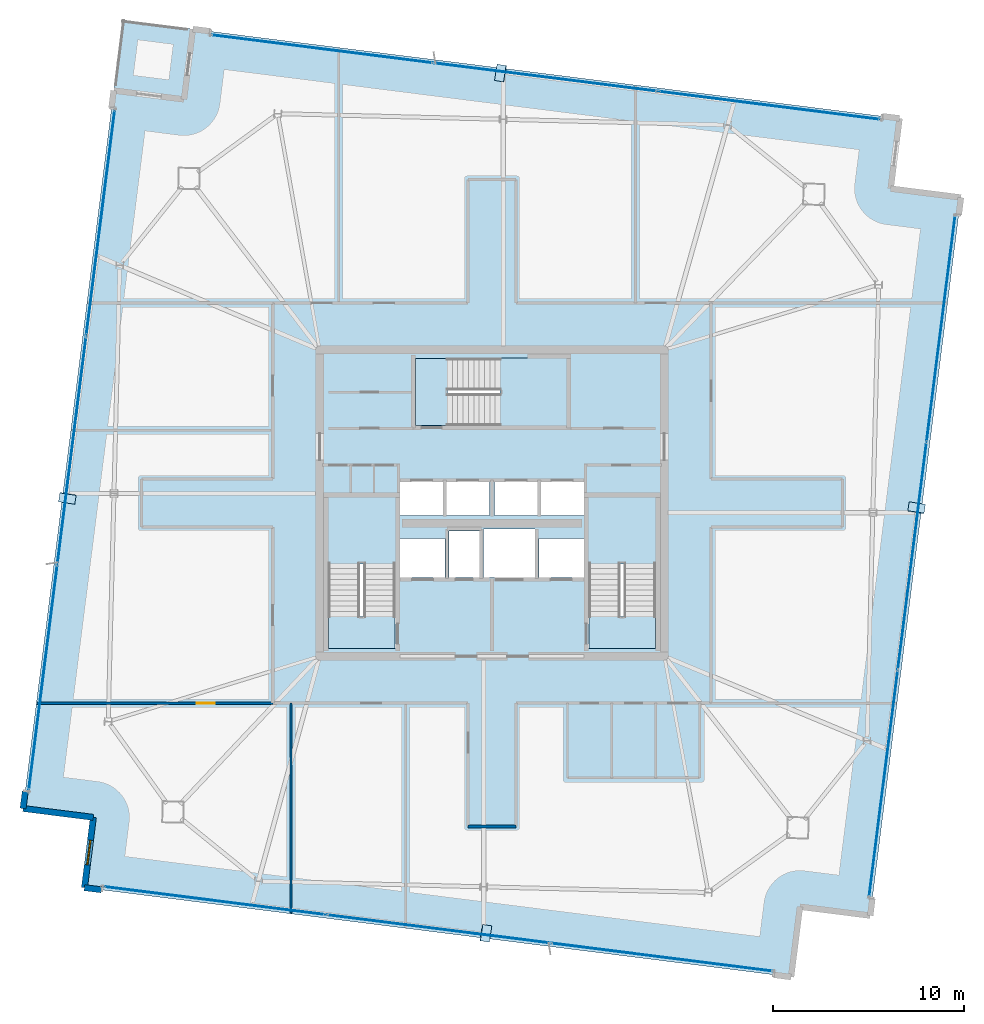
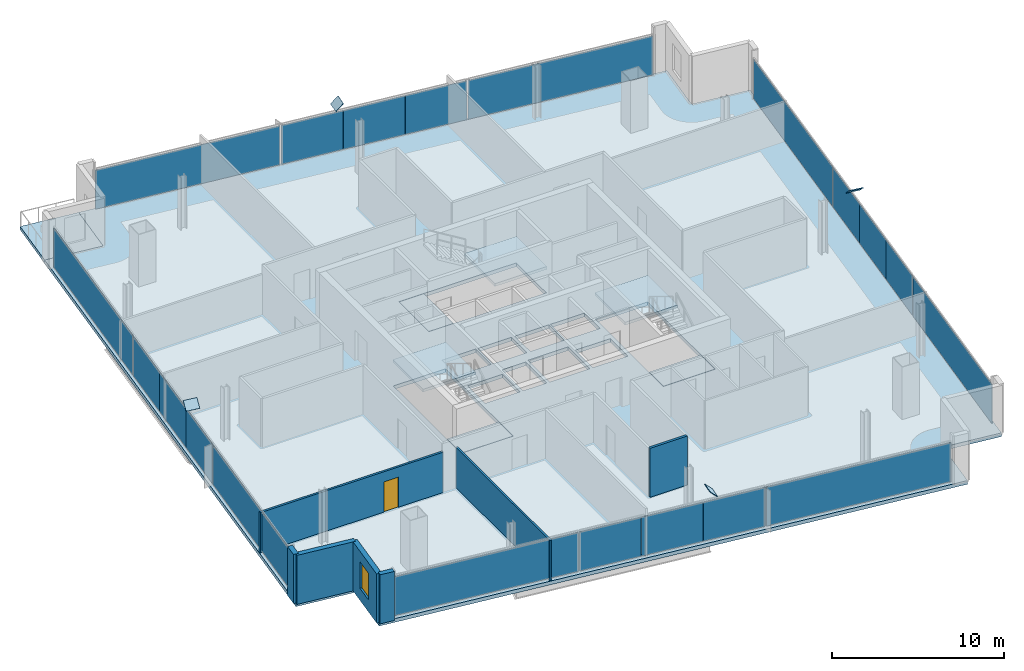
# One storey, part 17 of 23: 24 plates, 8 slabs, 7 walls, 1 door, 1 window, 2 openings, 7 elements without a shape of their own.
"""IFC4 building model written with IfcOpenShell, lengths in metres."""

from ifc_helpers import new_model, si_unit, direction, frame, frame_2d, origin, origin_2d, place, context, subcontext, project, spatial, polyline, rectangle, outline, extrude, source, transform, mapped, material, layer, layer_set, type_object, element, fill, aggregate, save


model = new_model("IFC4")

# Units and contexts
model_context = context("Model", 3, precision=1e-05, world=origin(), true_north=direction((0.0, 1.0)))
body_context = subcontext(model_context, "Body", "Model", "MODEL_VIEW")
ifc_project = project(units=[si_unit("LENGTHUNIT", "METRE"), si_unit("AREAUNIT", "SQUARE_METRE"), si_unit("VOLUMEUNIT", "CUBIC_METRE"), si_unit("PLANEANGLEUNIT", "RADIAN"), si_unit("MASSUNIT", "GRAM", prefix="KILO")], contexts=[model_context])

# Site, building, storey
site_placement = place(None, origin())
site = spatial("IfcSite", under=ifc_project, at=site_placement, CompositionType="ELEMENT")
building_placement = place(site_placement, origin())
building = spatial("IfcBuilding", under=site, at=building_placement, Name="Haldenkirk Collegiate Tower", CompositionType="ELEMENT")
storey_placement = place(building_placement, frame((0.0, 0.0, 306.449951171875)))
storey = spatial("IfcBuildingStorey", under=building, at=storey_placement, Name="L77", CompositionType="ELEMENT", Elevation=306.449951171875)

# Slab
ifc_material_1 = material(Name="Concrete f'c 40 MPa", Category="concrete")
ifc_layer_1 = layer(ifc_material_1, 0.260009765625)
ifc_layer_set_1 = layer_set([ifc_layer_1], Name="Concrete f'c 40 MPa")
slab_type_1 = type_object("IfcSlabType", Name="SLB-FLR-260", PredefinedType="FLOOR", material=ifc_layer_set_1)
slab_1_placement = place(storey_placement, frame((0.0, 0.0, -0.260009765625)))
element("IfcSlab", 1, at=slab_1_placement, inside=storey, type_object=slab_type_1, Name="L77 composite structural floor slab", PredefinedType="FLOOR", context=body_context, shape_type="SweptSolid", body=[
    extrude(outline(polyline([(55.75537109375, 4.4541015625), (60.492919921875, 41.9560546875), (56.822021484375, 42.419921875), (57.285888671875, 46.090576171875), (20.379150390625, 50.7529296875), (19.91552734375, 47.082275390625), (16.24462890625, 47.5458984375), (11.507080078125, 10.0439453125), (15.177978515625, 9.580078125), (14.714111328125, 5.909423828125), (51.620849609375, 1.2470703125), (52.08447265625, 4.917724609375), (55.75537109375, 4.4541015625)]), holes=[polyline([(27.449951171875, 18.39990234375), (30.949951171875, 18.39990234375), (30.949951171875, 26.300048828125), (27.449951171875, 26.300048828125), (27.449951171875, 18.39990234375)]), polyline([(41.050048828125, 18.39990234375), (44.550048828125, 18.39990234375), (44.550048828125, 26.300048828125), (41.050048828125, 26.300048828125), (41.050048828125, 18.39990234375)]), polyline([(32.0, 30.050048828125), (39.89990234375, 30.050048828125), (39.89990234375, 33.550048828125), (32.0, 33.550048828125), (32.0, 30.050048828125)]), polyline([(33.75, 22.10009765625), (35.35009765625, 22.10009765625), (35.35009765625, 24.550048828125), (33.75, 24.550048828125), (33.75, 22.10009765625)]), polyline([(31.199951171875, 25.35009765625), (33.47998046875, 25.35009765625), (33.47998046875, 27.14990234375), (31.199951171875, 27.14990234375), (31.199951171875, 25.35009765625)]), polyline([(33.60009765625, 25.35009765625), (35.8798828125, 25.35009765625), (35.8798828125, 27.14990234375), (33.60009765625, 27.14990234375), (33.60009765625, 25.35009765625)]), polyline([(36.1201171875, 25.35009765625), (38.39990234375, 25.35009765625), (38.39990234375, 27.14990234375), (36.1201171875, 27.14990234375), (36.1201171875, 25.35009765625)]), polyline([(38.52001953125, 25.35009765625), (40.800048828125, 25.35009765625), (40.800048828125, 27.14990234375), (38.52001953125, 27.14990234375), (38.52001953125, 25.35009765625)]), polyline([(31.199951171875, 22.10009765625), (33.550048828125, 22.10009765625), (33.550048828125, 24.14990234375), (31.199951171875, 24.14990234375), (31.199951171875, 22.10009765625)]), polyline([(38.449951171875, 22.10009765625), (40.800048828125, 22.10009765625), (40.800048828125, 24.14990234375), (38.449951171875, 24.14990234375), (38.449951171875, 22.10009765625)]), polyline([(35.550048828125, 22.10009765625), (38.25, 22.10009765625), (38.25, 24.64990234375), (35.550048828125, 24.64990234375), (35.550048828125, 22.10009765625)])]), origin(), (0.0, 0.0, 1.0), 0.260009765625),
])

# Stair, slab
stair_type = type_object("IfcStairType", Name="STR-DOGLEG-1650", PredefinedType="HALF_TURN_STAIR", material=ifc_material_1)
stair_1_placement = place(storey_placement, origin())
stair_1 = element("IfcStair", 2, at=stair_1_placement, inside=storey, type_object=stair_type, Name="L77 Core Exit Stair ST-1", PredefinedType="HALF_TURN_STAIR")
ifc_layer_2 = layer(ifc_material_1, 0.199951171875)
ifc_layer_set_2 = layer_set([ifc_layer_2], Name="Concrete f'c 40 MPa")
slab_type_2 = type_object("IfcSlabType", Name="SLB-LANDING-200", PredefinedType="LANDING", material=ifc_layer_set_2)
slab_2_placement = place(storey_placement, frame((0.0, 0.0, 1.675048828125)))
slab_2 = element("IfcSlab", 3, at=slab_2_placement, type_object=slab_type_2, Name="ST-1 landing 1", PredefinedType="LANDING", context=body_context, shape_type="SweptSolid", body=[
    extrude(outline(polyline([(30.97509765625, 22.824951171875), (27.425048828125, 22.824951171875), (27.425048828125, 26.324951171875), (30.97509765625, 26.324951171875), (30.97509765625, 22.824951171875)])), origin(), (0.0, 0.0, 1.0), 0.199951171875),
])
aggregate(stair_1, [slab_2])

stair_2_placement = place(storey_placement, origin())
stair_2 = element("IfcStair", 4, at=stair_2_placement, inside=storey, type_object=stair_type, Name="L77 Core Exit Stair ST-2", PredefinedType="HALF_TURN_STAIR")
slab_3_placement = place(storey_placement, frame((0.0, 0.0, 1.675048828125)))
slab_3 = element("IfcSlab", 5, at=slab_3_placement, type_object=slab_type_2, Name="ST-2 landing 1", PredefinedType="LANDING", context=body_context, shape_type="SweptSolid", body=[
    extrude(outline(polyline([(44.574951171875, 22.824951171875), (41.02490234375, 22.824951171875), (41.02490234375, 26.324951171875), (44.574951171875, 26.324951171875), (44.574951171875, 22.824951171875)])), origin(), (0.0, 0.0, 1.0), 0.199951171875),
])
aggregate(stair_2, [slab_3])

stair_3_placement = place(storey_placement, origin())
stair_3 = element("IfcStair", 6, at=stair_3_placement, inside=storey, type_object=stair_type, Name="L77 Core Exit Stair ST-3", PredefinedType="HALF_TURN_STAIR")
slab_4_placement = place(storey_placement, frame((0.0, 0.0, 1.675048828125)))
slab_4 = element("IfcSlab", 7, at=slab_4_placement, type_object=slab_type_2, Name="ST-3 landing 1", PredefinedType="LANDING", context=body_context, shape_type="SweptSolid", body=[
    extrude(outline(polyline([(36.425048828125, 30.02490234375), (36.425048828125, 33.574951171875), (39.925048828125, 33.574951171875), (39.925048828125, 30.02490234375), (36.425048828125, 30.02490234375)])), origin(), (0.0, 0.0, 1.0), 0.199951171875),
])
aggregate(stair_3, [slab_4])

# Slabs
ifc_layer_3 = layer(ifc_material_1, 0.25)
ifc_layer_set_3 = layer_set([ifc_layer_3], Name="Concrete f'c 40 MPa")
slab_type_3 = type_object("IfcSlabType", Name="SLB-STAIRLAND-250", PredefinedType="LANDING", material=ifc_layer_set_3)
slab_5_placement = place(storey_placement, frame((0.0, 0.0, -0.25)))
element("IfcSlab", 8, at=slab_5_placement, inside=storey, type_object=slab_type_3, Name="L77 stair ST1 structural floor landing slab", PredefinedType="LANDING", context=body_context, shape_type="SweptSolid", body=[
    extrude(outline(polyline([(27.4599609375, 18.409912109375), (30.93994140625, 18.409912109375), (30.93994140625, 20.080078125), (27.4599609375, 20.080078125), (27.4599609375, 18.409912109375)])), origin(), (0.0, 0.0, 1.0), 0.25),
])
slab_6_placement = place(storey_placement, frame((0.0, 0.0, -0.25)))
element("IfcSlab", 9, at=slab_6_placement, inside=storey, type_object=slab_type_3, Name="L77 stair ST2 structural floor landing slab", PredefinedType="LANDING", context=body_context, shape_type="SweptSolid", body=[
    extrude(outline(polyline([(41.06005859375, 18.409912109375), (44.5400390625, 18.409912109375), (44.5400390625, 20.080078125), (41.06005859375, 20.080078125), (41.06005859375, 18.409912109375)])), origin(), (0.0, 0.0, 1.0), 0.25),
])
slab_7_placement = place(storey_placement, frame((0.0, 0.0, -0.25)))
element("IfcSlab", 10, at=slab_7_placement, inside=storey, type_object=slab_type_3, Name="L77 stair ST3 structural floor landing slab", PredefinedType="LANDING", context=body_context, shape_type="SweptSolid", body=[
    extrude(outline(polyline([(32.010009765625, 30.06005859375), (33.679931640625, 30.06005859375), (33.679931640625, 33.5400390625), (32.010009765625, 33.5400390625), (32.010009765625, 30.06005859375)])), origin(), (0.0, 0.0, 1.0), 0.25),
])
ifc_layer_4 = layer(ifc_material_1, 0.22998046875)
ifc_layer_set_4 = layer_set([ifc_layer_4], Name="Concrete f'c 40 MPa")
slab_type_4 = type_object("IfcSlabType", Name="SLB-TERR-SPIRAL-230", PredefinedType="FLOOR", material=ifc_layer_set_4)
slab_8_placement = place(storey_placement, frame((0.0, 0.0, -0.22998046875)))
element("IfcSlab", 11, at=slab_8_placement, inside=storey, type_object=slab_type_4, Name="L77 spiralling corner terrace slab", PredefinedType="FLOOR", context=body_context, shape_type="SweptSolid", body=[
    extrude(outline(polyline([(19.91552734375, 47.082275390625), (20.379150390625, 50.7529296875), (16.70849609375, 51.216796875), (16.24462890625, 47.5458984375), (19.91552734375, 47.082275390625)])), origin(), (0.0, 0.0, 1.0), 0.22998046875),
])

# Plates
ifc_material_2 = material(Name="Steel ASTM A572 Grade 50", Category="steel")
ifc_layer_5 = layer(ifc_material_2, 0.034912109375)
ifc_layer_set_5 = layer_set([ifc_layer_5], Name="Steel ASTM A572 Grade 50")
plate_type_1 = type_object("IfcPlateType", Name="PLT-CAP-EXT-760X600", PredefinedType="USERDEFINED", material=ifc_layer_set_5)
shared_shape_1 = source(origin(), body_context, "Body", "SweptSolid", [
    extrude(rectangle(XDim=0.860107421875, YDim=0.659912109375, at=origin_2d()), origin(), (0.0, 0.0, 1.0), 0.034912109375),
])
for number, where, z_axis, x_axis, name in (
    (12, (58.176025390625, 25.741943359375, 3.477783203125), (0.106385024039, 0.694466156925, 0.711617160801), (-0.988469039015, 0.151423112198, 1.06349e-07), "Perimeter Mega Brace Z6 L75-L77 SL end cap plate 2"),
    (13, (36.459716796875, 48.45654296875, 3.477783203125), (-0.68392603352, 0.10507400515, 0.721945035384), (-0.151851985721, -0.988403244851, -5.3518e-08), "Perimeter Mega Brace Z6 L75-L77 EL end cap plate 2"),
    (14, (13.82373046875, 26.25634765625, 3.477783203125), (-0.106711023608, -0.69626615404, 0.709807157036), (0.988458331734, -0.151492991338, -5.9269e-08), "Perimeter Mega Brace Z6 L75-L77 NL end cap plate 2"),
    (15, (35.66943359375, 3.529541015625, 3.477783203125), (0.684510543373, -0.104704930153, 0.721444518735), (0.151204214684, 0.988502547018, 2.92452e-07), "Perimeter Mega Brace Z6 L75-L77 WL end cap plate 2"),
):
    element("IfcPlate", number, at=place(storey_placement, frame(where, z_axis=z_axis, x_axis=x_axis)), inside=storey, type_object=plate_type_1, Name=name, ObjectType="END CAP PLATE", PredefinedType="USERDEFINED", context=body_context, shape_type="MappedRepresentation", body=[
        mapped(shared_shape_1, transform((0.0, 0.0, 0.0), x_axis=(1.0, 0.0, 0.0), y_axis=(0.0, 1.0, 0.0), z_axis=(0.0, 0.0, 1.0), scale=1.0)),
    ])

# Curtain wall, plates
ifc_material_3 = material(Name="Anodised architectural bronze aluminium", Category="aluminium")
curtain_wall_type_1 = type_object("IfcCurtainWallType", Name="CW-SYS2-CONCAVE", PredefinedType="USERDEFINED", material=ifc_material_3)
curtain_wall_1_placement = place(storey_placement, origin())
curtain_wall_1 = element("IfcCurtainWall", 16, at=curtain_wall_1_placement, inside=storey, type_object=curtain_wall_type_1, Name="L77 South concave recessed bronze-anodised curtain wall", ObjectType="UNITISED CURTAIN WALL", PredefinedType="USERDEFINED")
ifc_material_4 = material(Name="Low-E argon triple insulating glass", Category="glass")
ifc_layer_6 = layer(ifc_material_4, 0.0419921875)
ifc_layer_set_6 = layer_set([ifc_layer_6], Name="Low-E argon triple insulating glass")
plate_type_2 = type_object("IfcPlateType", Name="CW-PNL-02", PredefinedType="CURTAIN_PANEL", material=ifc_layer_set_6)
shared_shape_2 = source(origin(), body_context, "Body", "SweptSolid", [
    extrude(rectangle(XDim=11.887451171875, YDim=0.0419921875, at=origin_2d()), origin(), (0.0, 0.0, 1.0), 2.798095703125),
])
plate_1_placement = place(storey_placement, frame((59.447265625, 35.114501953125, 0.0751953125), z_axis=(0.0, 0.0, 1.0), x_axis=(-0.125333432781, -0.992114676148, 0.0)))
plate_1 = element("IfcPlate", 17, at=plate_1_placement, type_object=plate_type_2, Name="CW-02 panel 1.1", PredefinedType="CURTAIN_PANEL", context=body_context, shape_type="MappedRepresentation", body=[
    mapped(shared_shape_2, transform((0.0, 0.0, 0.0), x_axis=(1.0, 0.0, 0.0), y_axis=(0.0, 1.0, 0.0), z_axis=(0.0, 0.0, 1.0), scale=1.0)),
])
plate_2_placement = place(storey_placement, frame((56.44384765625, 11.3408203125, 0.0751953125), z_axis=(0.0, 0.0, 1.0), x_axis=(-0.125333432781, -0.992114676148, 0.0)))
plate_2 = element("IfcPlate", 18, at=plate_2_placement, type_object=plate_type_2, Name="CW-02 panel 3.1", PredefinedType="CURTAIN_PANEL", context=body_context, shape_type="MappedRepresentation", body=[
    mapped(shared_shape_2, transform((0.0, 0.0, 0.0), x_axis=(1.0, 0.0, 0.0), y_axis=(0.0, 1.0, 0.0), z_axis=(0.0, 0.0, 1.0), scale=1.0)),
])
ifc_material_5 = material(Name="Bronze-anodised insulated aluminium spandrel panel", Category="aluminium")
ifc_layer_7 = layer(ifc_material_5, 0.0419921875)
ifc_layer_set_7 = layer_set([ifc_layer_7], Name="Bronze-anodised insulated aluminium spandrel panel")
plate_type_3 = type_object("IfcPlateType", Name="CW-SPD-02", PredefinedType="CURTAIN_PANEL", material=ifc_layer_set_7)
shared_shape_3 = source(origin(), body_context, "Body", "SweptSolid", [
    extrude(rectangle(XDim=3.96240234375, YDim=0.0419921875, at=origin_2d()), origin(), (0.0, 0.0, 1.0), 2.798095703125),
])
plate_3_placement = place(storey_placement, frame((58.444580078125, 27.177490234375, 0.0751953125), z_axis=(0.0, 0.0, 1.0), x_axis=(-0.125333432781, -0.992114676148, 0.0)))
plate_3 = element("IfcPlate", 19, at=plate_3_placement, type_object=plate_type_3, Name="CW-02 spandrel panel 2.1a", PredefinedType="CURTAIN_PANEL", context=body_context, shape_type="MappedRepresentation", body=[
    mapped(shared_shape_3, transform((0.0, 0.0, 0.0), x_axis=(1.0, 0.0, 0.0), y_axis=(0.0, 1.0, 0.0), z_axis=(0.0, 0.0, 1.0), scale=1.0)),
])
plate_4_placement = place(storey_placement, frame((57.446533203125, 19.27783203125, 0.0751953125), z_axis=(0.0, 0.0, 1.0), x_axis=(-0.125333432781, -0.992114676148, 0.0)))
plate_4 = element("IfcPlate", 20, at=plate_4_placement, type_object=plate_type_2, Name="CW-02 panel 2.1c", PredefinedType="CURTAIN_PANEL", context=body_context, shape_type="MappedRepresentation", body=[
    mapped(shared_shape_3, transform((0.0, 0.0, 0.0), x_axis=(1.0, 0.0, 0.0), y_axis=(0.0, 1.0, 0.0), z_axis=(0.0, 0.0, 1.0), scale=1.0)),
])
shared_shape_4 = source(origin(), body_context, "Body", "SweptSolid", [
    extrude(rectangle(XDim=3.949951171875, YDim=0.0419921875, at=origin_2d()), origin(), (0.0, 0.0, 1.0), 2.798095703125),
])
plate_5_placement = place(storey_placement, frame((57.945556640625, 23.2275390625, 0.0751953125), z_axis=(0.0, 0.0, 1.0), x_axis=(-0.125333432781, -0.992114676148, 0.0)))
plate_5 = element("IfcPlate", 21, at=plate_5_placement, type_object=plate_type_3, Name="CW-02 spandrel panel 2.1b", PredefinedType="CURTAIN_PANEL", context=body_context, shape_type="MappedRepresentation", body=[
    mapped(shared_shape_4, transform((0.0, 0.0, 0.0), x_axis=(1.0, 0.0, 0.0), y_axis=(0.0, 1.0, 0.0), z_axis=(0.0, 0.0, 1.0), scale=1.0)),
])
aggregate(curtain_wall_1, [plate_1, plate_3, plate_5, plate_4, plate_2])

curtain_wall_type_2 = type_object("IfcCurtainWallType", Name="CW-SYS1B-CONVEX-HI", PredefinedType="USERDEFINED", material=ifc_material_3)
curtain_wall_2_placement = place(storey_placement, origin())
curtain_wall_2 = element("IfcCurtainWall", 22, at=curtain_wall_2_placement, inside=storey, type_object=curtain_wall_type_2, Name="L77 Upper tower high-wind convex bronze unitised curtain wall", ObjectType="UNITISED CURTAIN WALL", PredefinedType="USERDEFINED")
ifc_layer_8 = layer(ifc_material_4, 0.048095703125)
ifc_layer_set_8 = layer_set([ifc_layer_8], Name="Low-E argon triple insulating glass")
plate_type_4 = type_object("IfcPlateType", Name="CW-PNL-1B", PredefinedType="CURTAIN_PANEL", material=ifc_layer_set_8)
shared_shape_5 = source(origin(), body_context, "Body", "SweptSolid", [
    extrude(rectangle(XDim=11.672607421875, YDim=0.048095703125, at=origin_2d()), origin(), (0.0, 0.0, 1.0), 2.778076171875),
])
plate_6_placement = place(storey_placement, frame((27.1240234375, 49.719482421875, 0.0849609375), z_axis=(0.0, 0.0, 1.0), x_axis=(0.992114706468, -0.125333192769, 0.0)))
plate_6 = element("IfcPlate", 23, at=plate_6_placement, type_object=plate_type_4, Name="CW-1B panel 1.1", PredefinedType="CURTAIN_PANEL", context=body_context, shape_type="MappedRepresentation", body=[
    mapped(shared_shape_5, transform((0.0, 0.0, 0.0), x_axis=(1.0, 0.0, 0.0), y_axis=(0.0, 1.0, 0.0), z_axis=(0.0, 0.0, 1.0), scale=1.0)),
])
plate_7_placement = place(storey_placement, frame((50.495849609375, 46.766845703125, 0.0849609375), z_axis=(0.0, 0.0, 1.0), x_axis=(0.992114706468, -0.125333192769, 0.0)))
plate_7 = element("IfcPlate", 24, at=plate_7_placement, type_object=plate_type_4, Name="CW-1B panel 3.1", PredefinedType="CURTAIN_PANEL", context=body_context, shape_type="MappedRepresentation", body=[
    mapped(shared_shape_5, transform((0.0, 0.0, 0.0), x_axis=(1.0, 0.0, 0.0), y_axis=(0.0, 1.0, 0.0), z_axis=(0.0, 0.0, 1.0), scale=1.0)),
])

curtain_wall_3_placement = place(storey_placement, origin())
curtain_wall_3 = element("IfcCurtainWall", 25, at=curtain_wall_3_placement, inside=storey, type_object=curtain_wall_type_2, Name="L77 Upper tower high-wind convex bronze unitised curtain wall", ObjectType="UNITISED CURTAIN WALL", PredefinedType="USERDEFINED")
plate_8_placement = place(storey_placement, frame((44.8759765625, 2.280517578125, 0.0849609375), z_axis=(0.0, 0.0, 1.0), x_axis=(-0.992114706468, 0.125333192769, 0.0)))
plate_8 = element("IfcPlate", 26, at=plate_8_placement, type_object=plate_type_4, Name="CW-1B panel 1.1", PredefinedType="CURTAIN_PANEL", context=body_context, shape_type="MappedRepresentation", body=[
    mapped(shared_shape_5, transform((0.0, 0.0, 0.0), x_axis=(1.0, 0.0, 0.0), y_axis=(0.0, 1.0, 0.0), z_axis=(0.0, 0.0, 1.0), scale=1.0)),
])
plate_9_placement = place(storey_placement, frame((21.504150390625, 5.233154296875, 0.0849609375), z_axis=(0.0, 0.0, 1.0), x_axis=(-0.992114706468, 0.125333192769, 0.0)))
plate_9 = element("IfcPlate", 27, at=plate_9_placement, type_object=plate_type_4, Name="CW-1B panel 3.1", PredefinedType="CURTAIN_PANEL", context=body_context, shape_type="MappedRepresentation", body=[
    mapped(shared_shape_5, transform((0.0, 0.0, 0.0), x_axis=(1.0, 0.0, 0.0), y_axis=(0.0, 1.0, 0.0), z_axis=(0.0, 0.0, 1.0), scale=1.0)),
])

# Plate
ifc_layer_9 = layer(ifc_material_5, 0.048095703125)
ifc_layer_set_9 = layer_set([ifc_layer_9], Name="Bronze-anodised insulated aluminium spandrel panel")
plate_type_5 = type_object("IfcPlateType", Name="CW-SPD-1B", PredefinedType="CURTAIN_PANEL", material=ifc_layer_set_9)
shared_shape_6 = source(origin(), body_context, "Body", "SweptSolid", [
    extrude(rectangle(XDim=3.892578125, YDim=0.048095703125, at=origin_2d()), origin(), (0.0, 0.0, 1.0), 2.778076171875),
])
plate_10_placement = place(storey_placement, frame((34.929443359375, 48.7333984375, 0.0849609375), z_axis=(0.0, 0.0, 1.0), x_axis=(0.992114706468, -0.125333192769, 0.0)))
plate_10 = element("IfcPlate", 28, at=plate_10_placement, type_object=plate_type_5, Name="CW-1B spandrel panel 2.1a", PredefinedType="CURTAIN_PANEL", context=body_context, shape_type="MappedRepresentation", body=[
    mapped(shared_shape_6, transform((0.0, 0.0, 0.0), x_axis=(1.0, 0.0, 0.0), y_axis=(0.0, 1.0, 0.0), z_axis=(0.0, 0.0, 1.0), scale=1.0)),
])

plate_11_placement = place(storey_placement, frame((42.6904296875, 47.7529296875, 0.0849609375), z_axis=(0.0, 0.0, 1.0), x_axis=(0.992114706468, -0.125333192769, 0.0)))
plate_11 = element("IfcPlate", 29, at=plate_11_placement, type_object=plate_type_4, Name="CW-1B panel 2.1c", PredefinedType="CURTAIN_PANEL", context=body_context, shape_type="MappedRepresentation", body=[
    mapped(shared_shape_6, transform((0.0, 0.0, 0.0), x_axis=(1.0, 0.0, 0.0), y_axis=(0.0, 1.0, 0.0), z_axis=(0.0, 0.0, 1.0), scale=1.0)),
])

plate_12_placement = place(storey_placement, frame((37.070556640625, 3.2666015625, 0.0849609375), z_axis=(0.0, 0.0, 1.0), x_axis=(-0.992114706468, 0.125333192769, 0.0)))
plate_12 = element("IfcPlate", 30, at=plate_12_placement, type_object=plate_type_5, Name="CW-1B spandrel panel 2.1a", PredefinedType="CURTAIN_PANEL", context=body_context, shape_type="MappedRepresentation", body=[
    mapped(shared_shape_6, transform((0.0, 0.0, 0.0), x_axis=(1.0, 0.0, 0.0), y_axis=(0.0, 1.0, 0.0), z_axis=(0.0, 0.0, 1.0), scale=1.0)),
])

plate_13_placement = place(storey_placement, frame((29.3095703125, 4.2470703125, 0.0849609375), z_axis=(0.0, 0.0, 1.0), x_axis=(-0.992114706468, 0.125333192769, 0.0)))
plate_13 = element("IfcPlate", 31, at=plate_13_placement, type_object=plate_type_4, Name="CW-1B panel 2.1c", PredefinedType="CURTAIN_PANEL", context=body_context, shape_type="MappedRepresentation", body=[
    mapped(shared_shape_6, transform((0.0, 0.0, 0.0), x_axis=(1.0, 0.0, 0.0), y_axis=(0.0, 1.0, 0.0), z_axis=(0.0, 0.0, 1.0), scale=1.0)),
])

shared_shape_7 = source(origin(), body_context, "Body", "SweptSolid", [
    extrude(rectangle(XDim=3.8798828125, YDim=0.048095703125, at=origin_2d()), origin(), (0.0, 0.0, 1.0), 2.778076171875),
])
plate_14_placement = place(storey_placement, frame((38.81005859375, 48.2431640625, 0.0849609375), z_axis=(0.0, 0.0, 1.0), x_axis=(0.992114706468, -0.125333192769, 0.0)))
plate_14 = element("IfcPlate", 32, at=plate_14_placement, type_object=plate_type_5, Name="CW-1B spandrel panel 2.1b", PredefinedType="CURTAIN_PANEL", context=body_context, shape_type="MappedRepresentation", body=[
    mapped(shared_shape_7, transform((0.0, 0.0, 0.0), x_axis=(1.0, 0.0, 0.0), y_axis=(0.0, 1.0, 0.0), z_axis=(0.0, 0.0, 1.0), scale=1.0)),
])

aggregate(curtain_wall_2, [plate_6, plate_10, plate_14, plate_11, plate_7])

plate_15_placement = place(storey_placement, frame((33.18994140625, 3.7568359375, 0.0849609375), z_axis=(0.0, 0.0, 1.0), x_axis=(-0.992114706468, 0.125333192769, 0.0)))
plate_15 = element("IfcPlate", 33, at=plate_15_placement, type_object=plate_type_5, Name="CW-1B spandrel panel 2.1b", PredefinedType="CURTAIN_PANEL", context=body_context, shape_type="MappedRepresentation", body=[
    mapped(shared_shape_7, transform((0.0, 0.0, 0.0), x_axis=(1.0, 0.0, 0.0), y_axis=(0.0, 1.0, 0.0), z_axis=(0.0, 0.0, 1.0), scale=1.0)),
])

aggregate(curtain_wall_3, [plate_8, plate_12, plate_15, plate_13, plate_9])

# Curtain wall, plates
curtain_wall_4_placement = place(storey_placement, origin())
curtain_wall_4 = element("IfcCurtainWall", 34, at=curtain_wall_4_placement, inside=storey, type_object=curtain_wall_type_2, Name="L77 Upper tower high-wind convex bronze unitised curtain wall", ObjectType="UNITISED CURTAIN WALL", PredefinedType="USERDEFINED")
shared_shape_8 = source(origin(), body_context, "Body", "SweptSolid", [
    extrude(rectangle(XDim=11.87255859375, YDim=0.048095703125, at=origin_2d()), origin(), (0.0, 0.0, 1.0), 2.778076171875),
])
plate_16_placement = place(storey_placement, frame((12.552978515625, 16.88818359375, 0.0849609375), z_axis=(0.0, 0.0, 1.0), x_axis=(0.125333432781, 0.992114676148, 0.0)))
plate_16 = element("IfcPlate", 35, at=plate_16_placement, type_object=plate_type_4, Name="CW-1B panel 1.1", PredefinedType="CURTAIN_PANEL", context=body_context, shape_type="MappedRepresentation", body=[
    mapped(shared_shape_8, transform((0.0, 0.0, 0.0), x_axis=(1.0, 0.0, 0.0), y_axis=(0.0, 1.0, 0.0), z_axis=(0.0, 0.0, 1.0), scale=1.0)),
])
plate_17_placement = place(storey_placement, frame((15.5556640625, 40.65673828125, 0.0849609375), z_axis=(0.0, 0.0, 1.0), x_axis=(0.125333432781, 0.992114676148, 0.0)))
plate_17 = element("IfcPlate", 36, at=plate_17_placement, type_object=plate_type_4, Name="CW-1B panel 3.1", PredefinedType="CURTAIN_PANEL", context=body_context, shape_type="MappedRepresentation", body=[
    mapped(shared_shape_8, transform((0.0, 0.0, 0.0), x_axis=(1.0, 0.0, 0.0), y_axis=(0.0, 1.0, 0.0), z_axis=(0.0, 0.0, 1.0), scale=1.0)),
])
shared_shape_9 = source(origin(), body_context, "Body", "SweptSolid", [
    extrude(rectangle(XDim=3.959228515625, YDim=0.048095703125, at=origin_2d()), origin(), (0.0, 0.0, 1.0), 2.778076171875),
])
plate_18_placement = place(storey_placement, frame((13.555908203125, 24.82568359375, 0.0849609375), z_axis=(0.0, 0.0, 1.0), x_axis=(0.125333432781, 0.992114676148, 0.0)))
plate_18 = element("IfcPlate", 37, at=plate_18_placement, type_object=plate_type_5, Name="CW-1B spandrel panel 2.1a", PredefinedType="CURTAIN_PANEL", context=body_context, shape_type="MappedRepresentation", body=[
    mapped(shared_shape_9, transform((0.0, 0.0, 0.0), x_axis=(1.0, 0.0, 0.0), y_axis=(0.0, 1.0, 0.0), z_axis=(0.0, 0.0, 1.0), scale=1.0)),
])
plate_19_placement = place(storey_placement, frame((14.552978515625, 32.718994140625, 0.0849609375), z_axis=(0.0, 0.0, 1.0), x_axis=(0.125333432781, 0.992114676148, 0.0)))
plate_19 = element("IfcPlate", 38, at=plate_19_placement, type_object=plate_type_4, Name="CW-1B panel 2.1c", PredefinedType="CURTAIN_PANEL", context=body_context, shape_type="MappedRepresentation", body=[
    mapped(shared_shape_9, transform((0.0, 0.0, 0.0), x_axis=(1.0, 0.0, 0.0), y_axis=(0.0, 1.0, 0.0), z_axis=(0.0, 0.0, 1.0), scale=1.0)),
])
shared_shape_10 = source(origin(), body_context, "Body", "SweptSolid", [
    extrude(rectangle(XDim=3.94677734375, YDim=0.048095703125, at=origin_2d()), origin(), (0.0, 0.0, 1.0), 2.778076171875),
])
plate_20_placement = place(storey_placement, frame((14.054443359375, 28.7724609375, 0.0849609375), z_axis=(0.0, 0.0, 1.0), x_axis=(0.125333432781, 0.992114676148, 0.0)))
plate_20 = element("IfcPlate", 39, at=plate_20_placement, type_object=plate_type_5, Name="CW-1B spandrel panel 2.1b", PredefinedType="CURTAIN_PANEL", context=body_context, shape_type="MappedRepresentation", body=[
    mapped(shared_shape_10, transform((0.0, 0.0, 0.0), x_axis=(1.0, 0.0, 0.0), y_axis=(0.0, 1.0, 0.0), z_axis=(0.0, 0.0, 1.0), scale=1.0)),
])
aggregate(curtain_wall_4, [plate_16, plate_18, plate_20, plate_19, plate_17])

# Walls
ifc_material_6 = material(Name="Precast concrete f'c 40 MPa", Category="concrete")
ifc_layer_10 = layer(ifc_material_6, 0.320068359375)
ifc_layer_set_10 = layer_set([ifc_layer_10], Name="Precast concrete f'c 40 MPa")
wall_type_1 = type_object("IfcWallType", Name="WL-EXT-TWR-320", PredefinedType="STANDARD", material=ifc_layer_set_10)
wall_1_placement = place(storey_placement, frame((11.507080078125, 10.0439453125, 0.0), z_axis=(0.0, 0.0, 1.0), x_axis=(0.125303102883, 0.99211850724, 0.0)))
element("IfcWall", 40, at=wall_1_placement, inside=storey, type_object=wall_type_1, Name="L77 precast corner pier NL", PredefinedType="STANDARD", context=body_context, shape_type="SweptSolid", body=[
    extrude(rectangle(XDim=0.900146484375, YDim=0.320068359375, at=frame_2d((0.4501953125, 0.0))), origin(), (0.0, 0.0, 1.0), 3.489990234375),
])
wall_2_placement = place(storey_placement, frame((15.177978515625, 9.580078125, 0.0), z_axis=(0.0, 0.0, 1.0), x_axis=(-0.992110504402, 0.125366451075, 0.0)))
element("IfcWall", 41, at=wall_2_placement, inside=storey, type_object=wall_type_1, Name="L77 bronze precast notch wall 08", PredefinedType="STANDARD", context=body_context, shape_type="SweptSolid", body=[
    extrude(rectangle(XDim=3.7001953125, YDim=0.320068359375, at=frame_2d((1.85009765625, 0.0))), origin(), (0.0, 0.0, 1.0), 3.489990234375),
])

# Wall, opening, window
wall_3_placement = place(storey_placement, frame((14.714111328125, 5.909423828125, 0.0), z_axis=(0.0, 0.0, 1.0), x_axis=(0.125374658318, 0.992109467272, 0.0)))
wall_3 = element("IfcWall", 42, at=wall_3_placement, inside=storey, type_object=wall_type_1, Name="L77 bronze precast notch wall 09", PredefinedType="STANDARD", context=body_context, shape_type="SweptSolid", body=[
    extrude(rectangle(XDim=3.699951171875, YDim=0.320068359375, at=frame_2d((1.85009765625, 0.0))), origin(), (0.0, 0.0, 1.0), 3.489990234375),
])
opening_1_placement = place(wall_3_placement, frame((1.199951171875, 0.0, 0.85009765625)))
opening_1 = element("IfcOpeningElement", 43, at=opening_1_placement, cuts=wall_3, Name="Opening W-08", PredefinedType="OPENING", context=body_context, shape_type="SweptSolid", body=[
    extrude(rectangle(XDim=1.300048828125, YDim=1.89990234375, at=frame_2d((0.64990234375, 0.949951171875))), frame((0.0, 0.169921875, 0.0), z_axis=(0.0, -1.0, 0.0), x_axis=(1.0, 0.0, 0.0)), (0.0, 0.0, 1.0), 0.340087890625),
])
ifc_layer_11 = layer(ifc_material_4, 0.090087890625)
ifc_layer_set_11 = layer_set([ifc_layer_11], Name="Low-E argon triple insulating glass")
window_type = type_object("IfcWindowType", Name="WN-Z6-1300X1900", PartitioningType="SINGLE_PANEL", PredefinedType="WINDOW", material=ifc_layer_set_11)
window_placement = place(opening_1_placement, origin())
window = element("IfcWindow", 44, at=window_placement, inside=storey, type_object=window_type, Name="L77 precast-frame academic window 8", OverallHeight=1.89990234375, OverallWidth=1.300048828125, PartitioningType="SINGLE_PANEL", PredefinedType="WINDOW", context=body_context, shape_type="SweptSolid", body=[
    extrude(rectangle(XDim=1.300048828125, YDim=1.89990234375, at=frame_2d((0.64990234375, 0.949951171875))), frame((0.0, 0.030029296875, 0.0), z_axis=(0.0, -1.0, 0.0), x_axis=(1.0, 0.0, 0.0)), (0.0, 0.0, 1.0), 0.06005859375),
])
fill(opening_1, window)

# Walls
wall_4_placement = place(storey_placement, frame((15.60693359375, 5.796630859375, 0.0), z_axis=(0.0, 0.0, 1.0), x_axis=(-0.992114247149, 0.125336828598, 0.0)))
element("IfcWall", 45, at=wall_4_placement, inside=storey, type_object=wall_type_1, Name="L77 precast corner pier WR", PredefinedType="STANDARD", context=body_context, shape_type="SweptSolid", body=[
    extrude(rectangle(XDim=0.89990234375, YDim=0.320068359375, at=frame_2d((0.449951171875, 0.0))), origin(), (0.0, 0.0, 1.0), 3.489990234375),
])
ifc_material_7 = material(Name="Acoustic fire-rated gypsum partition", Category="concrete")
ifc_layer_12 = layer(ifc_material_7, 0.159912109375)
ifc_layer_set_12 = layer_set([ifc_layer_12], Name="Acoustic fire-rated gypsum partition")
wall_type_2 = type_object("IfcWallType", Name="WL-INT-CORR-160", PredefinedType="PARTITIONING", material=ifc_layer_set_12)
wall_5_placement = place(storey_placement, frame((34.75, 9.10009765625, 0.0), z_axis=(0.0, 0.0, 1.0), x_axis=(1.0, 0.0, 0.0)))
element("IfcWall", 46, at=wall_5_placement, inside=storey, type_object=wall_type_2, Name="L77 interior partition IW-L77-SPS", PredefinedType="PARTITIONING", context=body_context, shape_type="SweptSolid", body=[
    extrude(rectangle(XDim=2.5, YDim=0.159912109375, at=frame_2d((1.25, 0.0))), origin(), (0.0, 0.0, 1.0), 3.489990234375),
])

# Wall, opening, door
ifc_layer_13 = layer(ifc_material_7, 0.139892578125)
ifc_layer_set_13 = layer_set([ifc_layer_13], Name="Acoustic fire-rated gypsum partition")
wall_type_3 = type_object("IfcWallType", Name="WL-INT-DIV-140", PredefinedType="PARTITIONING", material=ifc_layer_set_13)
wall_6_placement = place(storey_placement, frame((12.242919921875, 15.550048828125, 0.0), z_axis=(0.0, 0.0, 1.0), x_axis=(1.0, 0.0, 0.0)))
wall_6 = element("IfcWall", 47, at=wall_6_placement, inside=storey, type_object=wall_type_3, Name="L77 interior partition IW-L77-BWS", PredefinedType="PARTITIONING", context=body_context, shape_type="SweptSolid", body=[
    extrude(rectangle(XDim=12.30712890625, YDim=0.139892578125, at=frame_2d((6.153564453125, 0.0))), origin(), (0.0, 0.0, 1.0), 2.8681640625),
])
opening_2_placement = place(wall_6_placement, frame((8.3330078125, 0.0, 0.0)))
opening_2 = element("IfcOpeningElement", 48, at=opening_2_placement, cuts=wall_6, Name="Opening D-12", PredefinedType="OPENING", context=body_context, shape_type="SweptSolid", body=[
    extrude(rectangle(XDim=0.949951171875, YDim=2.14990234375, at=frame_2d((0.47509765625, 1.074951171875))), frame((0.0, 0.079833984375, 0.0), z_axis=(0.0, -1.0, 0.0), x_axis=(1.0, 0.0, 0.0)), (0.0, 0.0, 1.0), 0.159912109375),
])
ifc_material_8 = material(Name="Solid-core architectural oak fire door", Category="wood")
ifc_layer_14 = layer(ifc_material_8, 0.06005859375)
ifc_layer_set_14 = layer_set([ifc_layer_14], Name="Solid-core architectural oak fire door")
door_type = type_object("IfcDoorType", Name="DR-INT-STD-950", OperationType="NOTDEFINED", PredefinedType="DOOR", material=ifc_layer_set_14)
door_placement = place(opening_2_placement, origin())
door = element("IfcDoor", 49, at=door_placement, inside=storey, type_object=door_type, Name="L77 Student Wellness Clinic 1 door", OperationType="SINGLE_SWING_LEFT", OverallHeight=2.14990234375, OverallWidth=0.949951171875, PredefinedType="DOOR", context=body_context, shape_type="SweptSolid", body=[
    extrude(rectangle(XDim=0.949951171875, YDim=2.14990234375, at=frame_2d((0.47509765625, 1.074951171875))), frame((0.0, 0.02490234375, 0.0), z_axis=(0.0, -1.0, 0.0), x_axis=(1.0, 0.0, 0.0)), (0.0, 0.0, 1.0), 0.050048828125),
])
fill(opening_2, door)

# Wall
ifc_layer_15 = layer(ifc_material_7, 0.1201171875)
ifc_layer_set_15 = layer_set([ifc_layer_15], Name="Acoustic fire-rated gypsum partition")
wall_type_4 = type_object("IfcWallType", Name="WL-INT-WET-120", PredefinedType="PARTITIONING", material=ifc_layer_set_15)
wall_7_placement = place(storey_placement, frame((25.5, 4.587158203125, 0.0), z_axis=(0.0, 0.0, 1.0), x_axis=(0.0, 1.0, 0.0)))
element("IfcWall", 50, at=wall_7_placement, inside=storey, type_object=wall_type_4, Name="L77 interior partition IW-L77-RS1", PredefinedType="PARTITIONING", context=body_context, shape_type="SweptSolid", body=[
    extrude(rectangle(XDim=10.962890625, YDim=0.1201171875, at=frame_2d((5.4814453125, 0.0))), origin(), (0.0, 0.0, 1.0), 2.8681640625),
])

save(model, "model.ifc")
